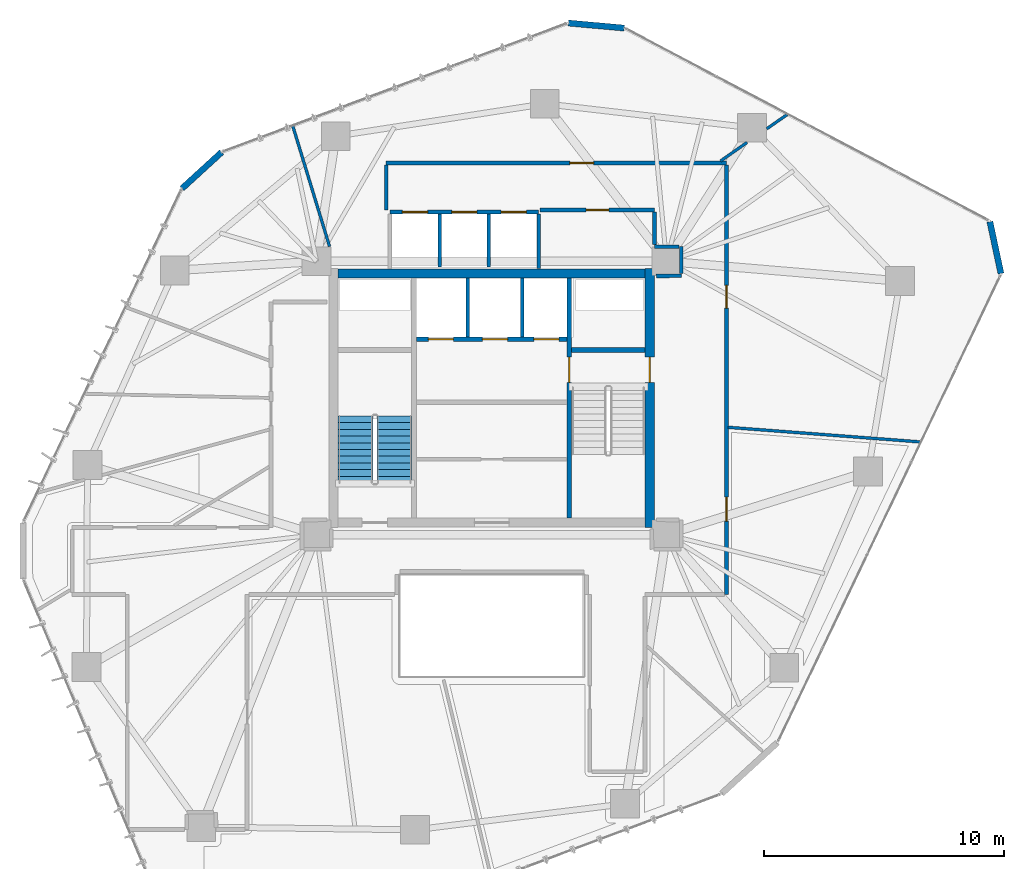
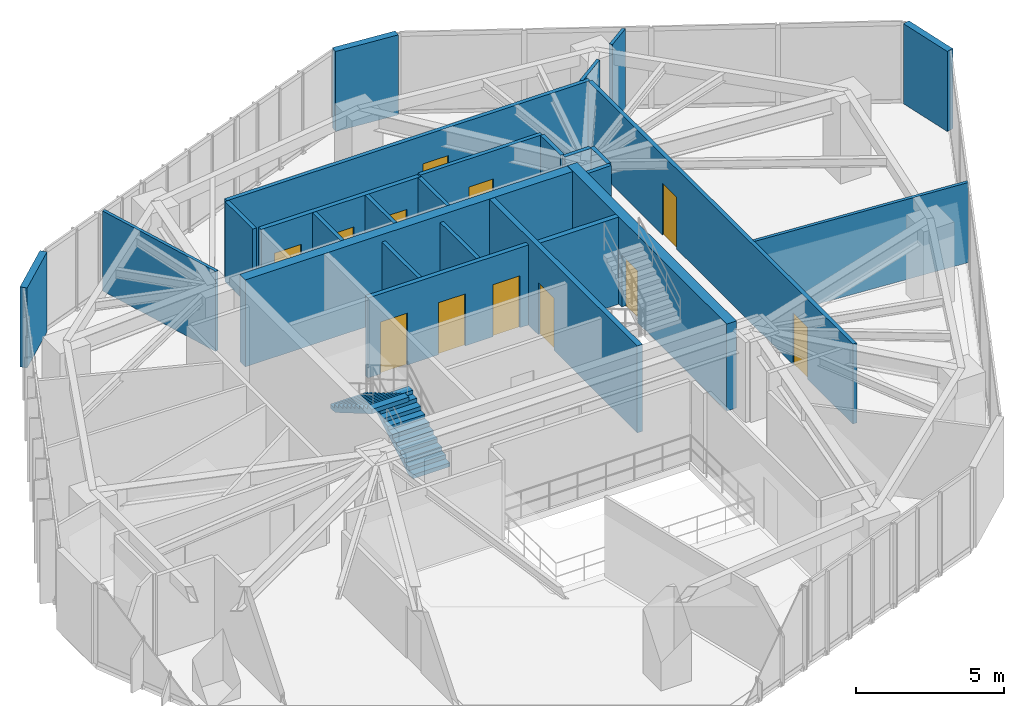
# One storey, part 18 of 22: 26 walls, 12 doors, 2 stair flights, 12 openings, 1 element without a shape of its own.
"""IFC4 building model written with IfcOpenShell, lengths in metres."""

from ifc_helpers import new_model, si_unit, direction, frame, frame_2d, origin, place, context, subcontext, project, spatial, polyline, rectangle, outline, extrude, source, transform, mapped, material, layer, layer_set, type_object, type_shapes, element, fill, aggregate, save


model = new_model("IFC4")

# Units and contexts
model_context = context("Model", 3, precision=1e-05, world=origin(), true_north=direction((0.0, 1.0)))
body_context = subcontext(model_context, "Body", "Model", "MODEL_VIEW")
ifc_project = project(units=[si_unit("LENGTHUNIT", "METRE"), si_unit("AREAUNIT", "SQUARE_METRE"), si_unit("VOLUMEUNIT", "CUBIC_METRE"), si_unit("PLANEANGLEUNIT", "RADIAN"), si_unit("MASSUNIT", "GRAM", prefix="KILO")], contexts=[model_context])

# Site, building, storey
site_placement = place(None, origin())
site = spatial("IfcSite", under=ifc_project, at=site_placement, CompositionType="ELEMENT")
building_placement = place(site_placement, origin())
building = spatial("IfcBuilding", under=site, at=building_placement, Name="Talar Marvaseh", CompositionType="ELEMENT")
storey_placement = place(building_placement, frame((0.0, 0.0, 150.60009765625)))
storey = spatial("IfcBuildingStorey", under=building, at=storey_placement, Name="L39", CompositionType="ELEMENT", Elevation=150.60009765625)

# Walls
ifc_material_1 = material(Name="Precast concrete C45/55", Category="concrete")
ifc_layer_1 = layer(ifc_material_1, 0.2548828125)
ifc_layer_set_1 = layer_set([ifc_layer_1], Name="Precast concrete C45/55")
wall_type_1 = type_object("IfcWallType", Name="Chamfered Hexagonal Corner Pier Wall Z2 255", PredefinedType="SOLIDWALL", material=ifc_layer_set_1)
wall_1_placement = place(storey_placement, frame((13.081298828125, 39.936767578125, 0.0), z_axis=(0.0, 0.0, 1.0), x_axis=(0.737262461161, 0.675606441179, 0.0)))
element("IfcWall", 1, at=wall_1_placement, inside=storey, type_object=wall_type_1, Name="L39 Chamfered Corner Limestone Pier 3", PredefinedType="SOLIDWALL", context=body_context, shape_type="SweptSolid", body=[
    extrude(rectangle(XDim=2.2451171875, YDim=0.2548828125, at=frame_2d((1.12255859375, 0.0))), origin(), (0.0, 0.0, 1.0), 3.309814453125),
])
wall_2_placement = place(storey_placement, frame((29.2041015625, 46.841796875, 0.0), z_axis=(0.0, 0.0, 1.0), x_axis=(0.995997682629, -0.089379059059, 0.0)))
element("IfcWall", 2, at=wall_2_placement, inside=storey, type_object=wall_type_1, Name="L39 Chamfered Corner Limestone Pier 4", PredefinedType="SOLIDWALL", context=body_context, shape_type="SweptSolid", body=[
    extrude(rectangle(XDim=2.3408203125, YDim=0.2548828125, at=frame_2d((1.17041015625, 0.0))), origin(), (0.0, 0.0, 1.0), 3.309814453125),
])
wall_3_placement = place(storey_placement, frame((46.789794921875, 38.555419921875, 0.0), z_axis=(0.0, 0.0, 1.0), x_axis=(0.209145482081, -0.977884536806, 0.0)))
element("IfcWall", 3, at=wall_3_placement, inside=storey, type_object=wall_type_1, Name="L39 Chamfered Corner Limestone Pier 5", PredefinedType="SOLIDWALL", context=body_context, shape_type="SweptSolid", body=[
    extrude(rectangle(XDim=2.216796875, YDim=0.2548828125, at=frame_2d((1.1083984375, 0.0))), origin(), (0.0, 0.0, 1.0), 3.309814453125),
])

# Wall, opening, door
ifc_material_2 = material(Name="Gypsum Board Partition Assembly")
ifc_layer_2 = layer(ifc_material_2, 0.155029296875)
ifc_layer_set_2 = layer_set([ifc_layer_2], Name="Gypsum Board Partition Assembly")
wall_type_2 = type_object("IfcWallType", Name="Corridor Fire-Rated Acoustic Partition 155", PredefinedType="PARTITIONING", material=ifc_layer_set_2)
wall_4_placement = place(storey_placement, frame((32.800048828125, 39.0400390625, 0.0), z_axis=(0.0, 0.0, 1.0), x_axis=(-1.0, 0.0, 0.0)))
wall_4 = element("IfcWall", 4, at=wall_4_placement, inside=storey, type_object=wall_type_2, Name="L39 Interior Partition Wall", PredefinedType="PARTITIONING", context=body_context, shape_type="SweptSolid", body=[
    extrude(rectangle(XDim=4.77001953125, YDim=0.155029296875, at=frame_2d((2.385009765625, 0.0))), origin(), (0.0, 0.0, 1.0), 3.309814453125),
])
opening_1_placement = place(wall_4_placement, frame((1.909912109375, 0.0, 0.0)))
opening_1 = element("IfcOpeningElement", 5, at=opening_1_placement, cuts=wall_4, Name="Opening DR-WC095", PredefinedType="OPENING", context=body_context, shape_type="SweptSolid", body=[
    extrude(rectangle(XDim=0.949951171875, YDim=2.14990234375, at=frame_2d((0.47509765625, 1.074951171875))), frame((0.0, 0.08740234375, 0.0), z_axis=(0.0, -1.0, 0.0), x_axis=(1.0, 0.0, 0.0)), (0.0, 0.0, 1.0), 0.175048828125),
])
ifc_material_3 = material(Name="Acoustic Engineered Oak Timber", Category="wood")
door_type_1 = type_object("IfcDoorType", Name="Washroom and Service Room Door 950x2150", OperationType="NOTDEFINED", PredefinedType="DOOR", material=ifc_material_3)
shared_shape_1 = source(origin(), body_context, "Body", "SweptSolid", [
    extrude(rectangle(XDim=0.949951171875, YDim=2.14990234375, at=frame_2d((0.47509765625, 1.074951171875))), frame((0.0, 0.02490234375, 0.0), z_axis=(0.0, -1.0, 0.0), x_axis=(1.0, 0.0, 0.0)), (0.0, 0.0, 1.0), 0.050048828125),
])
type_shapes(door_type_1, [shared_shape_1])
door_1_placement = place(opening_1_placement, origin())
door_1 = element("IfcDoor", 6, at=door_1_placement, inside=storey, type_object=door_type_1, Name="L39 Accessible WC Door", OperationType="SINGLE_SWING_LEFT", OverallHeight=2.14990234375, OverallWidth=0.949951171875, PredefinedType="DOOR", context=body_context, shape_type="MappedRepresentation", body=[
    mapped(shared_shape_1, transform((0.0, 0.0, 0.0), x_axis=(1.0, 0.0, 0.0), y_axis=(0.0, 1.0, 0.0), z_axis=(0.0, 0.0, 1.0), scale=1.0)),
])
fill(opening_1, door_1)

wall_5_placement = place(storey_placement, frame((21.60009765625, 41.0, 0.0), z_axis=(0.0, 0.0, 1.0), x_axis=(1.0, 0.0, 0.0)))
wall_5 = element("IfcWall", 7, at=wall_5_placement, inside=storey, type_object=wall_type_2, Name="L39 Interior Partition Wall", PredefinedType="PARTITIONING", context=body_context, shape_type="SweptSolid", body=[
    extrude(rectangle(XDim=14.199951171875, YDim=0.155029296875, at=frame_2d((7.10009765625, 0.0))), origin(), (0.0, 0.0, 1.0), 3.309814453125),
])
opening_2_placement = place(wall_5_placement, frame((7.660888671875, 0.0, 0.0)))
opening_2 = element("IfcOpeningElement", 8, at=opening_2_placement, cuts=wall_5, Name="Opening DR-RM100", PredefinedType="OPENING", context=body_context, shape_type="SweptSolid", body=[
    extrude(rectangle(XDim=1.0, YDim=2.14990234375, at=frame_2d((0.5, 1.074951171875))), frame((0.0, 0.08740234375, 0.0), z_axis=(0.0, -1.0, 0.0), x_axis=(1.0, 0.0, 0.0)), (0.0, 0.0, 1.0), 0.175048828125),
])
door_type_2 = type_object("IfcDoorType", Name="Corridor Fire-Rated Gallery Door 1000x2150", OperationType="NOTDEFINED", PredefinedType="DOOR", material=ifc_material_3)
shared_shape_2 = source(origin(), body_context, "Body", "SweptSolid", [
    extrude(rectangle(XDim=1.0, YDim=2.14990234375, at=frame_2d((0.5, 1.074951171875))), frame((0.0, 0.02490234375, 0.0), z_axis=(0.0, -1.0, 0.0), x_axis=(1.0, 0.0, 0.0)), (0.0, 0.0, 1.0), 0.050048828125),
])
type_shapes(door_type_2, [shared_shape_2])
door_2_placement = place(opening_2_placement, origin())
door_2 = element("IfcDoor", 9, at=door_2_placement, inside=storey, type_object=door_type_2, Name="L39 Conservation Laboratory Door", OperationType="SINGLE_SWING_RIGHT", OverallHeight=2.14990234375, OverallWidth=1.0, PredefinedType="DOOR", context=body_context, shape_type="MappedRepresentation", body=[
    mapped(shared_shape_2, transform((0.0, 0.0, 0.0), x_axis=(1.0, 0.0, 0.0), y_axis=(0.0, 1.0, 0.0), z_axis=(0.0, 0.0, 1.0), scale=1.0)),
])
fill(opening_2, door_2)

# Wall, openings, doors
wall_6_placement = place(storey_placement, frame((35.800048828125, 40.91650390625, 0.0), z_axis=(0.0, 0.0, 1.0), x_axis=(0.0, -1.0, 0.0)))
wall_6 = element("IfcWall", 10, at=wall_6_placement, inside=storey, type_object=wall_type_2, Name="L39 Interior Partition Wall", PredefinedType="PARTITIONING", context=body_context, shape_type="SweptSolid", body=[
    extrude(rectangle(XDim=17.91650390625, YDim=0.155029296875, at=frame_2d((8.958251953125, 0.0))), origin(), (0.0, 0.0, 1.0), 3.309814453125),
])
opening_3_placement = place(wall_6_placement, frame((13.85498046875, 0.0, 0.0)))
opening_3 = element("IfcOpeningElement", 11, at=opening_3_placement, cuts=wall_6, Name="Opening DR-RM100", PredefinedType="OPENING", context=body_context, shape_type="SweptSolid", body=[
    extrude(rectangle(XDim=1.0, YDim=2.14990234375, at=frame_2d((0.5, 1.074951171875))), frame((0.0, 0.08740234375, 0.0), z_axis=(0.0, -1.0, 0.0), x_axis=(1.0, 0.0, 0.0)), (0.0, 0.0, 1.0), 0.175048828125),
])
opening_4_placement = place(wall_6_placement, frame((5.02001953125, 0.0, 0.0)))
opening_4 = element("IfcOpeningElement", 12, at=opening_4_placement, cuts=wall_6, Name="Opening DR-WC095", PredefinedType="OPENING", context=body_context, shape_type="SweptSolid", body=[
    extrude(rectangle(XDim=0.949951171875, YDim=2.14990234375, at=frame_2d((0.47509765625, 1.074951171875))), frame((0.0, 0.08740234375, 0.0), z_axis=(0.0, -1.0, 0.0), x_axis=(1.0, 0.0, 0.0)), (0.0, 0.0, 1.0), 0.175048828125),
])
door_3_placement = place(opening_4_placement, origin())
door_3 = element("IfcDoor", 13, at=door_3_placement, inside=storey, type_object=door_type_1, Name="L39 Fellows' Coffee Pantry Door", OperationType="SINGLE_SWING_RIGHT", OverallHeight=2.14990234375, OverallWidth=0.949951171875, PredefinedType="DOOR", context=body_context, shape_type="MappedRepresentation", body=[
    mapped(shared_shape_1, transform((0.0, 0.0, 0.0), x_axis=(1.0, 0.0, 0.0), y_axis=(0.0, 1.0, 0.0), z_axis=(0.0, 0.0, 1.0), scale=1.0)),
])
fill(opening_4, door_3)
door_4_placement = place(opening_3_placement, origin())
door_4 = element("IfcDoor", 14, at=door_4_placement, inside=storey, type_object=door_type_2, Name="L39 Cultural Fellowship Office Door", OperationType="SINGLE_SWING_LEFT", OverallHeight=2.14990234375, OverallWidth=1.0, PredefinedType="DOOR", context=body_context, shape_type="MappedRepresentation", body=[
    mapped(shared_shape_2, transform((0.0, 0.0, 0.0), x_axis=(1.0, 0.0, 0.0), y_axis=(0.0, 1.0, 0.0), z_axis=(0.0, 0.0, 1.0), scale=1.0)),
])
fill(opening_3, door_4)

# Walls
wall_7_placement = place(storey_placement, frame((32.8701171875, 36.284912109375, 0.0), z_axis=(0.0, 0.0, 1.0), x_axis=(0.999895094683, 0.014484461652, 0.0)))
element("IfcWall", 15, at=wall_7_placement, inside=storey, type_object=wall_type_2, Name="L39 Interior Partition Wall", PredefinedType="PARTITIONING", context=body_context, shape_type="SweptSolid", body=[
    extrude(rectangle(XDim=1.044921875, YDim=0.155029296875, at=frame_2d((0.5224609375, 0.0))), origin(), (0.0, 0.0, 1.0), 3.309814453125),
])
wall_8_placement = place(storey_placement, frame((33.914794921875, 36.383544921875, 0.0), z_axis=(0.0, 0.0, 1.0), x_axis=(-0.003682817312, 0.999993218405, 0.0)))
element("IfcWall", 16, at=wall_8_placement, inside=storey, type_object=wall_type_2, Name="L39 Interior Partition Wall", PredefinedType="PARTITIONING", context=body_context, shape_type="SweptSolid", body=[
    extrude(rectangle(XDim=1.126953125, YDim=0.155029296875, at=frame_2d((0.5634765625, 0.0))), origin(), (0.0, 0.0, 1.0), 3.309814453125),
])
wall_9_placement = place(storey_placement, frame((33.8271484375, 37.510986328125, 0.0), z_axis=(0.0, 0.0, 1.0), x_axis=(-0.99999276797, 0.003803157663, 0.0)))
element("IfcWall", 17, at=wall_9_placement, inside=storey, type_object=wall_type_2, Name="L39 Interior Partition Wall", PredefinedType="PARTITIONING", context=body_context, shape_type="SweptSolid", body=[
    extrude(rectangle(XDim=1.027099609375, YDim=0.155029296875, at=frame_2d((0.513671875, 0.0))), origin(), (0.0, 0.0, 1.0), 3.309814453125),
])
wall_10_placement = place(storey_placement, frame((32.800048828125, 37.598388671875, 0.0), z_axis=(0.0, 0.0, 1.0), x_axis=(0.0, 1.0, 0.0)))
element("IfcWall", 18, at=wall_10_placement, inside=storey, type_object=wall_type_2, Name="L39 Interior Partition Wall", PredefinedType="PARTITIONING", context=body_context, shape_type="SweptSolid", body=[
    extrude(rectangle(XDim=1.358154296875, YDim=0.155029296875, at=frame_2d((0.67919921875, 0.0))), origin(), (0.0, 0.0, 1.0), 3.309814453125),
])
wall_11_placement = place(storey_placement, frame((21.60009765625, 39.0400390625, 0.0), z_axis=(0.0, 0.0, 1.0), x_axis=(0.0, 1.0, 0.0)))
element("IfcWall", 19, at=wall_11_placement, inside=storey, type_object=wall_type_2, Name="L39 Interior Partition Wall", PredefinedType="PARTITIONING", context=body_context, shape_type="SweptSolid", body=[
    extrude(rectangle(XDim=1.87646484375, YDim=0.155029296875, at=frame_2d((0.938232421875, 0.0))), origin(), (0.0, 0.0, 1.0), 3.309814453125),
])
ifc_layer_3 = layer(ifc_material_2, 0.1201171875)
ifc_layer_set_3 = layer_set([ifc_layer_3], Name="Gypsum Board Partition Assembly")
wall_type_3 = type_object("IfcWallType", Name="Demountable Studio Room Partition 120", PredefinedType="PARTITIONING", material=ifc_layer_set_3)
wall_12_placement = place(storey_placement, frame((35.86474609375, 29.97509765625, 0.0), z_axis=(0.0, 0.0, 1.0), x_axis=(0.997127713753, -0.075738513757, 0.0)))
element("IfcWall", 20, at=wall_12_placement, inside=storey, type_object=wall_type_3, Name="L39 Interior Partition Wall", PredefinedType="PARTITIONING", context=body_context, shape_type="SweptSolid", body=[
    extrude(rectangle(XDim=8.049072265625, YDim=0.1201171875, at=frame_2d((4.0244140625, 0.0))), origin(), (0.0, 0.0, 1.0), 3.309814453125),
])
wall_13_placement = place(storey_placement, frame((35.549560546875, 41.08349609375, 0.0), z_axis=(0.0, 0.0, 1.0), x_axis=(0.819451944027, 0.573147896647, 0.0)))
element("IfcWall", 21, at=wall_13_placement, inside=storey, type_object=wall_type_3, Name="L39 Interior Partition Wall", PredefinedType="PARTITIONING", context=body_context, shape_type="SweptSolid", body=[
    extrude(rectangle(XDim=1.35498046875, YDim=0.1201171875, at=frame_2d((0.677490234375, 0.0))), origin(), (0.0, 0.0, 1.0), 3.309814453125),
])
wall_14_placement = place(storey_placement, frame((37.47998046875, 42.429931640625, 0.0), z_axis=(0.0, 0.0, 1.0), x_axis=(0.820809289546, 0.571202337351, 0.0)))
element("IfcWall", 22, at=wall_14_placement, inside=storey, type_object=wall_type_3, Name="L39 Interior Partition Wall", PredefinedType="PARTITIONING", context=body_context, shape_type="SweptSolid", body=[
    extrude(rectangle(XDim=1.037841796875, YDim=0.1201171875, at=frame_2d((0.51904296875, 0.0))), origin(), (0.0, 0.0, 1.0), 3.309814453125),
])
wall_15_placement = place(storey_placement, frame((19.239990234375, 37.52001953125, 0.0), z_axis=(0.0, 0.0, 1.0), x_axis=(-0.291865079721, 0.956459500052, 0.0)))
element("IfcWall", 23, at=wall_15_placement, inside=storey, type_object=wall_type_3, Name="L39 Interior Partition Wall", PredefinedType="PARTITIONING", context=body_context, shape_type="SweptSolid", body=[
    extrude(rectangle(XDim=5.247314453125, YDim=0.1201171875, at=frame_2d((2.62353515625, 0.0))), origin(), (0.0, 0.0, 1.0), 3.309814453125),
])
ifc_layer_4 = layer(ifc_material_1, 0.14501953125)
ifc_layer_set_4 = layer_set([ifc_layer_4], Name="Precast concrete C45/55")
wall_type_4 = type_object("IfcWallType", Name="Fire-Rated Lift Divider Wall 145", PredefinedType="SOLIDWALL", material=ifc_layer_set_4)
for number, where, z_axis, x_axis, name in (
    (24, (25.0, 33.743408203125, 0.0), (0.0, 0.0, 1.0), (0.0, 1.0, 0.0), "L39 FFL-1/FFL-2 Divider"),
    (25, (27.280029296875, 33.743408203125, 0.0), (0.0, 0.0, 1.0), (0.0, 1.0, 0.0), "L39 FFL-2/SVL-1 Divider"),
):
    element("IfcWall", number, at=place(storey_placement, frame(where, z_axis=z_axis, x_axis=x_axis)), inside=storey, type_object=wall_type_4, Name=name, PredefinedType="SOLIDWALL", context=body_context, shape_type="SweptSolid", body=[
        extrude(rectangle(XDim=2.45654296875, YDim=0.14501953125, at=frame_2d((1.228271484375, 0.0))), origin(), (0.0, 0.0, 1.0), 3.309814453125),
    ])
wall_16_placement = place(storey_placement, frame((27.9599609375, 36.60009765625, 0.0), z_axis=(0.0, 0.0, 1.0), x_axis=(0.0, 1.0, 0.0)))
element("IfcWall", 26, at=wall_16_placement, inside=storey, type_object=wall_type_4, Name="L39 Low-Rise Bank East Wall", PredefinedType="SOLIDWALL", context=body_context, shape_type="SweptSolid", body=[
    extrude(rectangle(XDim=2.266357421875, YDim=0.14501953125, at=frame_2d((1.13330078125, 0.0))), origin(), (0.0, 0.0, 1.0), 3.309814453125),
])
for number, where, z_axis, x_axis, name in (
    (27, (23.830078125, 36.659912109375, 0.0), (0.0, 0.0, 1.0), (0.0, 1.0, 0.0), "L39 PL-L1/PL-L2 Divider"),
    (28, (25.889892578125, 36.659912109375, 0.0), (0.0, 0.0, 1.0), (0.0, 1.0, 0.0), "L39 PL-L2/PL-L3 Divider"),
):
    element("IfcWall", number, at=place(storey_placement, frame(where, z_axis=z_axis, x_axis=x_axis)), inside=storey, type_object=wall_type_4, Name=name, PredefinedType="SOLIDWALL", context=body_context, shape_type="SweptSolid", body=[
        extrude(rectangle(XDim=2.20654296875, YDim=0.14501953125, at=frame_2d((1.103271484375, 0.0))), origin(), (0.0, 0.0, 1.0), 3.309814453125),
    ])

# Wall, openings, doors
ifc_layer_5 = layer(ifc_material_1, 0.175048828125)
ifc_layer_set_5 = layer_set([ifc_layer_5], Name="Precast concrete C45/55")
wall_type_5 = type_object("IfcWallType", Name="Fire-Rated Lift Hoistway Enclosure Wall 175", PredefinedType="SOLIDWALL", material=ifc_layer_set_5)
wall_17_placement = place(storey_placement, frame((22.860107421875, 33.64990234375, 0.0), z_axis=(0.0, 0.0, 1.0), x_axis=(1.0, 0.0, 0.0)))
wall_17 = element("IfcWall", 29, at=wall_17_placement, inside=storey, type_object=wall_type_5, Name="L39 Firefighting and Service Lift Front Wall", PredefinedType="SOLIDWALL", context=body_context, shape_type="SweptSolid", body=[
    extrude(rectangle(XDim=6.27978515625, YDim=0.175048828125, at=frame_2d((3.139892578125, 0.0))), origin(), (0.0, 0.0, 1.0), 3.309814453125),
])
opening_5_placement = place(wall_17_placement, frame((0.5, 0.0, 0.0)))
opening_5 = element("IfcOpeningElement", 30, at=opening_5_placement, cuts=wall_17, Name="Opening LD-FF1", PredefinedType="OPENING", context=body_context, shape_type="SweptSolid", body=[
    extrude(rectangle(XDim=1.050048828125, YDim=2.14990234375, at=frame_2d((0.52490234375, 1.074951171875))), frame((0.0, 0.09765625, 0.0), z_axis=(0.0, -1.0, 0.0), x_axis=(1.0, 0.0, 0.0)), (0.0, 0.0, 1.0), 0.195068359375),
])
opening_6_placement = place(wall_17_placement, frame((2.760009765625, 0.0, 0.0)))
opening_6 = element("IfcOpeningElement", 31, at=opening_6_placement, cuts=wall_17, Name="Opening LD-FF2", PredefinedType="OPENING", context=body_context, shape_type="SweptSolid", body=[
    extrude(rectangle(XDim=1.050048828125, YDim=2.14990234375, at=frame_2d((0.52490234375, 1.074951171875))), frame((0.0, 0.09765625, 0.0), z_axis=(0.0, -1.0, 0.0), x_axis=(1.0, 0.0, 0.0)), (0.0, 0.0, 1.0), 0.195068359375),
])
opening_7_placement = place(wall_17_placement, frame((4.89990234375, 0.0, 0.0)))
opening_7 = element("IfcOpeningElement", 32, at=opening_7_placement, cuts=wall_17, Name="Opening LD-SV1", PredefinedType="OPENING", context=body_context, shape_type="SweptSolid", body=[
    extrude(rectangle(XDim=1.050048828125, YDim=2.14990234375, at=frame_2d((0.52490234375, 1.074951171875))), frame((0.0, 0.09765625, 0.0), z_axis=(0.0, -1.0, 0.0), x_axis=(1.0, 0.0, 0.0)), (0.0, 0.0, 1.0), 0.195068359375),
])
ifc_material_4 = material(Name="Stainless Steel Grade 316", Category="steel")
door_type_3 = type_object("IfcDoorType", Name="Automatic Sliding Lift Landing Door 1050x2150", OperationType="NOTDEFINED", PredefinedType="DOOR", material=ifc_material_4)
shared_shape_3 = source(origin(), body_context, "Body", "SweptSolid", [
    extrude(rectangle(XDim=1.050048828125, YDim=2.14990234375, at=frame_2d((0.52490234375, 1.074951171875))), frame((0.0, 0.02490234375, 0.0), z_axis=(0.0, -1.0, 0.0), x_axis=(1.0, 0.0, 0.0)), (0.0, 0.0, 1.0), 0.050048828125),
])
type_shapes(door_type_3, [shared_shape_3])
door_5_placement = place(opening_5_placement, origin())
door_5 = element("IfcDoor", 33, at=door_5_placement, inside=storey, type_object=door_type_3, Name="L39 Lift FFL-1 Sliding Landing Door", OperationType="SLIDING_TO_LEFT", OverallHeight=2.14990234375, OverallWidth=1.050048828125, PredefinedType="DOOR", context=body_context, shape_type="MappedRepresentation", body=[
    mapped(shared_shape_3, transform((0.0, 0.0, 0.0), x_axis=(1.0, 0.0, 0.0), y_axis=(0.0, 1.0, 0.0), z_axis=(0.0, 0.0, 1.0), scale=1.0)),
])
fill(opening_5, door_5)
door_6_placement = place(opening_6_placement, origin())
door_6 = element("IfcDoor", 34, at=door_6_placement, inside=storey, type_object=door_type_3, Name="L39 Lift FFL-2 Sliding Landing Door", OperationType="SLIDING_TO_LEFT", OverallHeight=2.14990234375, OverallWidth=1.050048828125, PredefinedType="DOOR", context=body_context, shape_type="MappedRepresentation", body=[
    mapped(shared_shape_3, transform((0.0, 0.0, 0.0), x_axis=(1.0, 0.0, 0.0), y_axis=(0.0, 1.0, 0.0), z_axis=(0.0, 0.0, 1.0), scale=1.0)),
])
fill(opening_6, door_6)
door_7_placement = place(opening_7_placement, origin())
door_7 = element("IfcDoor", 35, at=door_7_placement, inside=storey, type_object=door_type_3, Name="L39 Lift SVL-1 Sliding Landing Door", OperationType="SLIDING_TO_LEFT", OverallHeight=2.14990234375, OverallWidth=1.050048828125, PredefinedType="DOOR", context=body_context, shape_type="MappedRepresentation", body=[
    mapped(shared_shape_3, transform((0.0, 0.0, 0.0), x_axis=(1.0, 0.0, 0.0), y_axis=(0.0, 1.0, 0.0), z_axis=(0.0, 0.0, 1.0), scale=1.0)),
])
fill(opening_7, door_7)

wall_18_placement = place(storey_placement, frame((21.760009765625, 38.9599609375, 0.0), z_axis=(0.0, 0.0, 1.0), x_axis=(1.0, 0.0, 0.0)))
wall_18 = element("IfcWall", 36, at=wall_18_placement, inside=storey, type_object=wall_type_5, Name="L39 Low-Rise Lift Bank Front Wall", PredefinedType="SOLIDWALL", context=body_context, shape_type="SweptSolid", body=[
    extrude(rectangle(XDim=6.199951171875, YDim=0.175048828125, at=frame_2d((3.10009765625, 0.0))), origin(), (0.0, 0.0, 1.0), 3.309814453125),
])
opening_8_placement = place(wall_18_placement, frame((0.52001953125, 0.0, 0.0)))
opening_8 = element("IfcOpeningElement", 37, at=opening_8_placement, cuts=wall_18, Name="Opening LD-PLL1", PredefinedType="OPENING", context=body_context, shape_type="SweptSolid", body=[
    extrude(rectangle(XDim=1.050048828125, YDim=2.14990234375, at=frame_2d((0.52490234375, 1.074951171875))), frame((0.0, 0.09765625, 0.0), z_axis=(0.0, -1.0, 0.0), x_axis=(1.0, 0.0, 0.0)), (0.0, 0.0, 1.0), 0.195068359375),
])
opening_9_placement = place(wall_18_placement, frame((2.580078125, 0.0, 0.0)))
opening_9 = element("IfcOpeningElement", 38, at=opening_9_placement, cuts=wall_18, Name="Opening LD-PLL2", PredefinedType="OPENING", context=body_context, shape_type="SweptSolid", body=[
    extrude(rectangle(XDim=1.050048828125, YDim=2.14990234375, at=frame_2d((0.52490234375, 1.074951171875))), frame((0.0, 0.09765625, 0.0), z_axis=(0.0, -1.0, 0.0), x_axis=(1.0, 0.0, 0.0)), (0.0, 0.0, 1.0), 0.195068359375),
])
opening_10_placement = place(wall_18_placement, frame((4.639892578125, 0.0, 0.0)))
opening_10 = element("IfcOpeningElement", 39, at=opening_10_placement, cuts=wall_18, Name="Opening LD-PLL3", PredefinedType="OPENING", context=body_context, shape_type="SweptSolid", body=[
    extrude(rectangle(XDim=1.050048828125, YDim=2.14990234375, at=frame_2d((0.52490234375, 1.074951171875))), frame((0.0, 0.09765625, 0.0), z_axis=(0.0, -1.0, 0.0), x_axis=(1.0, 0.0, 0.0)), (0.0, 0.0, 1.0), 0.195068359375),
])
door_8_placement = place(opening_8_placement, origin())
door_8 = element("IfcDoor", 40, at=door_8_placement, inside=storey, type_object=door_type_3, Name="L39 Lift PL-L1 Sliding Landing Door", OperationType="SLIDING_TO_LEFT", OverallHeight=2.14990234375, OverallWidth=1.050048828125, PredefinedType="DOOR", context=body_context, shape_type="MappedRepresentation", body=[
    mapped(shared_shape_3, transform((0.0, 0.0, 0.0), x_axis=(1.0, 0.0, 0.0), y_axis=(0.0, 1.0, 0.0), z_axis=(0.0, 0.0, 1.0), scale=1.0)),
])
fill(opening_8, door_8)
door_9_placement = place(opening_9_placement, origin())
door_9 = element("IfcDoor", 41, at=door_9_placement, inside=storey, type_object=door_type_3, Name="L39 Lift PL-L2 Sliding Landing Door", OperationType="SLIDING_TO_LEFT", OverallHeight=2.14990234375, OverallWidth=1.050048828125, PredefinedType="DOOR", context=body_context, shape_type="MappedRepresentation", body=[
    mapped(shared_shape_3, transform((0.0, 0.0, 0.0), x_axis=(1.0, 0.0, 0.0), y_axis=(0.0, 1.0, 0.0), z_axis=(0.0, 0.0, 1.0), scale=1.0)),
])
fill(opening_9, door_9)
door_10_placement = place(opening_10_placement, origin())
door_10 = element("IfcDoor", 42, at=door_10_placement, inside=storey, type_object=door_type_3, Name="L39 Lift PL-L3 Sliding Landing Door", OperationType="SLIDING_TO_LEFT", OverallHeight=2.14990234375, OverallWidth=1.050048828125, PredefinedType="DOOR", context=body_context, shape_type="MappedRepresentation", body=[
    mapped(shared_shape_3, transform((0.0, 0.0, 0.0), x_axis=(1.0, 0.0, 0.0), y_axis=(0.0, 1.0, 0.0), z_axis=(0.0, 0.0, 1.0), scale=1.0)),
])
fill(opening_10, door_10)

# Wall, opening, door
ifc_material_5 = material(Name="Concrete C60/75", Category="concrete")
ifc_layer_6 = layer(ifc_material_5, 0.3798828125)
ifc_layer_set_6 = layer_set([ifc_layer_6], Name="Concrete C60/75")
wall_type_6 = type_object("IfcWallType", Name="Mid Core Reinforced Concrete Shear Wall 380", PredefinedType="SHEAR", material=ifc_layer_set_6)
wall_19_placement = place(storey_placement, frame((32.60009765625, 36.60009765625, 0.0), z_axis=(0.0, 0.0, 1.0), x_axis=(0.0, -1.0, 0.0)))
wall_19 = element("IfcWall", 43, at=wall_19_placement, inside=storey, type_object=wall_type_6, Name="L39 East Core Shear Wall", PredefinedType="SHEAR", context=body_context, shape_type="SweptSolid", body=[
    extrude(rectangle(XDim=10.800048828125, YDim=0.3798828125, at=frame_2d((5.39990234375, 0.0))), origin(), (0.0, 0.0, 1.0), 3.599853515625),
])
opening_11_placement = place(wall_19_placement, frame((3.699951171875, 0.0, 0.0)))
opening_11 = element("IfcOpeningElement", 44, at=opening_11_placement, cuts=wall_19, Name="Opening DR-ST105", PredefinedType="OPENING", context=body_context, shape_type="SweptSolid", body=[
    extrude(rectangle(XDim=1.050048828125, YDim=2.14990234375, at=frame_2d((0.52490234375, 1.074951171875))), frame((0.0, 0.199951171875, 0.0), z_axis=(0.0, -1.0, 0.0), x_axis=(1.0, 0.0, 0.0)), (0.0, 0.0, 1.0), 0.39990234375),
])
ifc_material_6 = material(Name="Fire-Rated Steel Door Leaf", Category="steel")
door_type_4 = type_object("IfcDoorType", Name="Protected Exit Stair Fire Door 1050x2150", OperationType="NOTDEFINED", PredefinedType="DOOR", material=ifc_material_6)
shared_shape_4 = source(origin(), body_context, "Body", "SweptSolid", [
    extrude(rectangle(XDim=1.050048828125, YDim=2.14990234375, at=frame_2d((0.52490234375, 1.074951171875))), frame((0.0, 0.02490234375, 0.0), z_axis=(0.0, -1.0, 0.0), x_axis=(1.0, 0.0, 0.0)), (0.0, 0.0, 1.0), 0.050048828125),
])
type_shapes(door_type_4, [shared_shape_4])
door_11_placement = place(opening_11_placement, origin())
door_11 = element("IfcDoor", 45, at=door_11_placement, inside=storey, type_object=door_type_4, Name="L39 Stair ST-2 Corridor Exit Door", OperationType="SINGLE_SWING_LEFT", OverallHeight=2.14990234375, OverallWidth=1.050048828125, PredefinedType="DOOR", context=body_context, shape_type="MappedRepresentation", body=[
    mapped(shared_shape_4, transform((0.0, 0.0, 0.0), x_axis=(1.0, 0.0, 0.0), y_axis=(0.0, 1.0, 0.0), z_axis=(0.0, 0.0, 1.0), scale=1.0)),
])
fill(opening_11, door_11)

# Wall
wall_20_placement = place(storey_placement, frame((19.60009765625, 36.39990234375, 0.0), z_axis=(0.0, 0.0, 1.0), x_axis=(1.0, 0.0, 0.0)))
element("IfcWall", 46, at=wall_20_placement, inside=storey, type_object=wall_type_6, Name="L39 North Core Shear Wall", PredefinedType="SHEAR", context=body_context, shape_type="SweptSolid", body=[
    extrude(rectangle(XDim=12.7998046875, YDim=0.3798828125, at=frame_2d((6.39990234375, 0.0))), origin(), (0.0, 0.0, 1.0), 3.599853515625),
])

# Wall, opening, door
ifc_material_7 = material(Name="Concrete C50/60", Category="concrete")
ifc_layer_7 = layer(ifc_material_7, 0.199951171875)
ifc_layer_set_7 = layer_set([ifc_layer_7], Name="Concrete C50/60")
wall_type_7 = type_object("IfcWallType", Name="Stair Shaft Structural Concrete Shear Wall 200", PredefinedType="SHEAR", material=ifc_layer_set_7)
wall_21_placement = place(storey_placement, frame((29.239990234375, 26.199951171875, 0.0), z_axis=(0.0, 0.0, 1.0), x_axis=(0.0, 1.0, 0.0)))
wall_21 = element("IfcWall", 47, at=wall_21_placement, inside=storey, type_object=wall_type_7, Name="L39 Core East Stair Shear Wall", PredefinedType="SHEAR", context=body_context, shape_type="SweptSolid", body=[
    extrude(rectangle(XDim=10.0, YDim=0.199951171875, at=frame_2d((5.0, 0.0))), origin(), (0.0, 0.0, 1.0), 3.599853515625),
])
opening_12_placement = place(wall_21_placement, frame((5.64990234375, 0.0, 0.0)))
opening_12 = element("IfcOpeningElement", 48, at=opening_12_placement, cuts=wall_21, Name="Opening DR-ST105", PredefinedType="OPENING", context=body_context, shape_type="SweptSolid", body=[
    extrude(rectangle(XDim=1.050048828125, YDim=2.14990234375, at=frame_2d((0.52490234375, 1.074951171875))), frame((0.0, 0.10986328125, 0.0), z_axis=(0.0, -1.0, 0.0), x_axis=(1.0, 0.0, 0.0)), (0.0, 0.0, 1.0), 0.219970703125),
])
door_12_placement = place(opening_12_placement, origin())
door_12 = element("IfcDoor", 49, at=door_12_placement, inside=storey, type_object=door_type_4, Name="L39 Firefighting Lobby to Stair ST-2 Door", OperationType="SINGLE_SWING_LEFT", OverallHeight=2.14990234375, OverallWidth=1.050048828125, PredefinedType="DOOR", context=body_context, shape_type="MappedRepresentation", body=[
    mapped(shared_shape_4, transform((0.0, 0.0, 0.0), x_axis=(1.0, 0.0, 0.0), y_axis=(0.0, 1.0, 0.0), z_axis=(0.0, 0.0, 1.0), scale=1.0)),
])
fill(opening_12, door_12)

# Wall
wall_22_placement = place(storey_placement, frame((29.340087890625, 33.199951171875, 0.0), z_axis=(0.0, 0.0, 1.0), x_axis=(1.0, 0.0, 0.0)))
element("IfcWall", 50, at=wall_22_placement, inside=storey, type_object=wall_type_7, Name="L39 Stair ST-2 North Shear Wall", PredefinedType="SHEAR", context=body_context, shape_type="SweptSolid", body=[
    extrude(rectangle(XDim=3.059814453125, YDim=0.199951171875, at=frame_2d((1.52978515625, 0.0))), origin(), (0.0, 0.0, 1.0), 3.599853515625),
])

# Stair, stair flights
ifc_material_8 = material(Name="Concrete C40/50", Category="concrete")
stair_type = type_object("IfcStairType", Name="Reinforced Concrete Half-Turn Exit Stair Type B", PredefinedType="HALF_TURN_STAIR", material=ifc_material_8)
stair_placement = place(storey_placement, origin())
stair = element("IfcStair", 51, at=stair_placement, inside=storey, type_object=stair_type, Name="L39 Tower West Core Exit Stair", PredefinedType="HALF_TURN_STAIR")
ifc_layer_8 = layer(ifc_material_8, 0.159912109375)
ifc_layer_set_8 = layer_set([ifc_layer_8], Name="Concrete C40/50")
stair_flight_type = type_object("IfcStairFlightType", Name="Reinforced Concrete Straight Stair Flight 160", PredefinedType="STRAIGHT", material=ifc_layer_set_8)
stair_flight_1_placement = place(storey_placement, frame((21.93505859375, 27.64990234375, 0.0), z_axis=(0.0, 0.0, 1.0), x_axis=(0.0, 1.0, 0.0)))
stair_flight_1 = element("IfcStairFlight", 52, at=stair_flight_1_placement, type_object=stair_flight_type, Name="ST-1 flight 1", NumberOfRisers=11, NumberOfTreads=10, PredefinedType="STRAIGHT", RiserHeight=0.163636364, TreadLength=0.28, context=body_context, shape_type="SweptSolid", body=[
    extrude(outline(polyline([(0.0, 0.0), (0.0, 0.16357421875), (0.280029296875, 0.16357421875), (0.280029296875, 0.327392578125), (0.56005859375, 0.327392578125), (0.56005859375, 0.490966796875), (0.840087890625, 0.490966796875), (0.840087890625, 0.654541015625), (1.1201171875, 0.654541015625), (1.1201171875, 0.818115234375), (1.39990234375, 0.818115234375), (1.39990234375, 0.98193359375), (1.679931640625, 0.98193359375), (1.679931640625, 1.1455078125), (1.9599609375, 1.1455078125), (1.9599609375, 1.30908203125), (2.239990234375, 1.30908203125), (2.239990234375, 1.47265625), (2.52001953125, 1.47265625), (2.52001953125, 1.636474609375), (2.800048828125, 1.636474609375), (2.800048828125, 1.800048828125), (2.800048828125, 1.451171875), (0.31689453125, 0.0), (0.0, 0.0)])), frame((0.0, 0.72509765625, 0.0), z_axis=(0.0, -1.0, 0.0), x_axis=(1.0, 0.0, 0.0)), (0.0, 0.0, 1.0), 1.449951171875),
])
stair_flight_2_placement = place(storey_placement, frame((20.324951171875, 30.449951171875, 1.7998046875), z_axis=(0.0, 0.0, 1.0), x_axis=(0.0, -1.0, 0.0)))
stair_flight_2 = element("IfcStairFlight", 53, at=stair_flight_2_placement, type_object=stair_flight_type, Name="ST-1 flight 2", NumberOfRisers=11, NumberOfTreads=10, PredefinedType="STRAIGHT", RiserHeight=0.163636364, TreadLength=0.28, context=body_context, shape_type="SweptSolid", body=[
    extrude(outline(polyline([(0.0, 0.0), (0.0, 0.16357421875), (0.280029296875, 0.16357421875), (0.280029296875, 0.327392578125), (0.56005859375, 0.327392578125), (0.56005859375, 0.490966796875), (0.840087890625, 0.490966796875), (0.840087890625, 0.654541015625), (1.1201171875, 0.654541015625), (1.1201171875, 0.818115234375), (1.39990234375, 0.818115234375), (1.39990234375, 0.98193359375), (1.679931640625, 0.98193359375), (1.679931640625, 1.1455078125), (1.9599609375, 1.1455078125), (1.9599609375, 1.30908203125), (2.239990234375, 1.30908203125), (2.239990234375, 1.47265625), (2.52001953125, 1.47265625), (2.52001953125, 1.636474609375), (2.800048828125, 1.636474609375), (2.800048828125, 1.800048828125), (2.800048828125, 1.451171875), (0.31689453125, 0.0), (0.0, 0.0)])), frame((0.0, 0.72509765625, 0.0), z_axis=(0.0, -1.0, 0.0), x_axis=(1.0, 0.0, 0.0)), (0.0, 0.0, 1.0), 1.449951171875),
])
aggregate(stair, [stair_flight_1, stair_flight_2])

save(model, "model.ifc")
